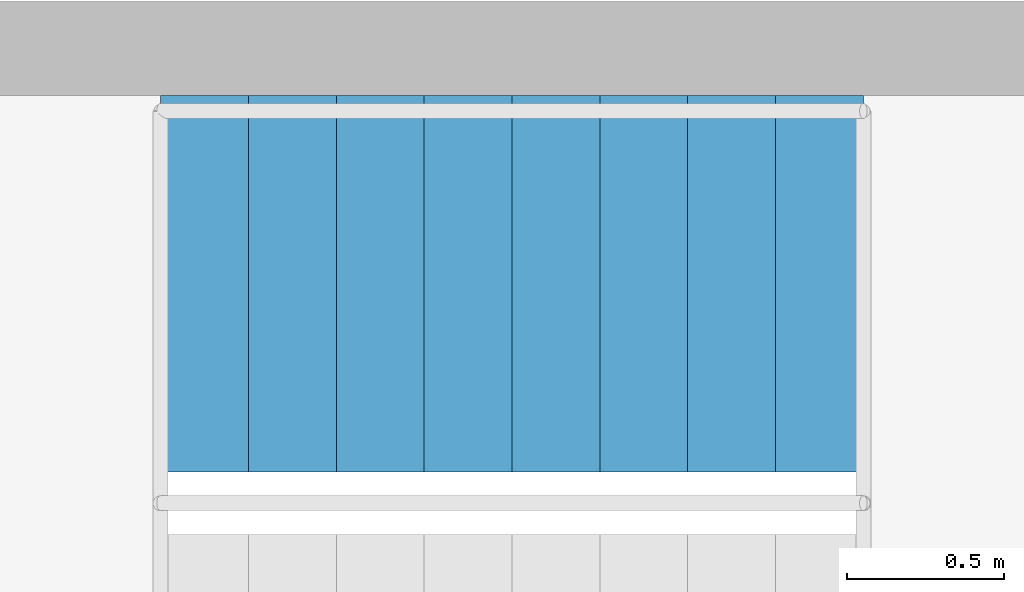
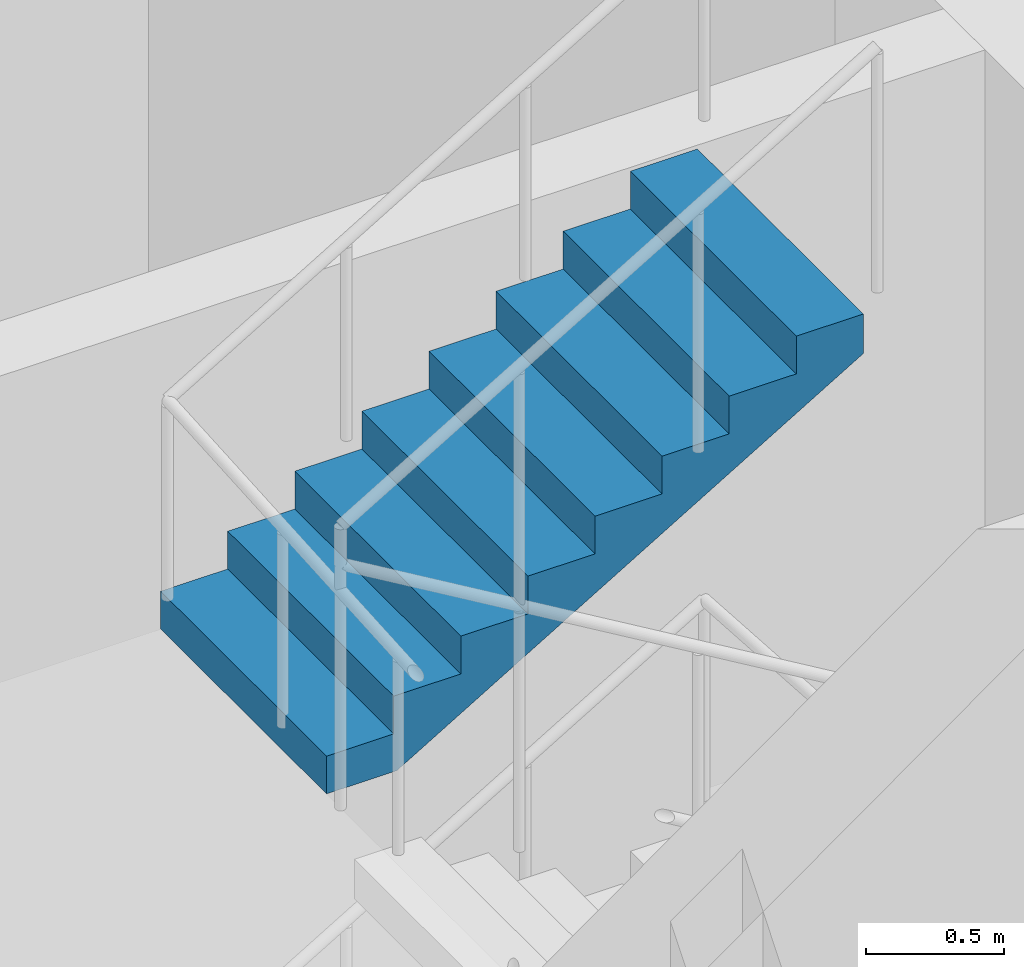
# One storey, part 7 of 14: 1 stair flight, 1 element without a shape of its own.
"""IFC4 building model written with IfcOpenShell, lengths in metres."""

from ifc_helpers import new_model, si_unit, direction, frame, origin, place, context, subcontext, project, spatial, polyline, outline, extrude, material, type_object, element, aggregate, save


model = new_model("IFC4")

# Units and contexts
model_context = context("Model", 3, precision=1e-05, world=origin(), true_north=direction((0.0, 1.0)))
body_context = subcontext(model_context, "Body", "Model", "MODEL_VIEW")
ifc_project = project(units=[si_unit("LENGTHUNIT", "METRE"), si_unit("AREAUNIT", "SQUARE_METRE"), si_unit("VOLUMEUNIT", "CUBIC_METRE"), si_unit("PLANEANGLEUNIT", "RADIAN"), si_unit("MASSUNIT", "GRAM", prefix="KILO")], contexts=[model_context])

# Site, building, storey
site_placement = place(None, origin())
site = spatial("IfcSite", under=ifc_project, at=site_placement, CompositionType="ELEMENT")
building_placement = place(site_placement, origin())
building = spatial("IfcBuilding", under=site, at=building_placement, Name="Entoto Ring Tower", CompositionType="ELEMENT")
storey_placement = place(building_placement, frame((0.0, 0.0, 12.0)))
storey = spatial("IfcBuildingStorey", under=building, at=storey_placement, Name="L01", CompositionType="ELEMENT", Elevation=12.0)

# Stair, stair flight
ifc_material_1 = material(Name="Concrete C40/50", Category="concrete")
stair_type = type_object("IfcStairType", Name="Exit stair 1200 mm dog-leg reinforced concrete", PredefinedType="HALF_TURN_STAIR", material=ifc_material_1)
stair_placement = place(storey_placement, origin())
stair = element("IfcStair", 1, at=stair_placement, inside=storey, type_object=stair_type, Name="Exit stair 1", PredefinedType="HALF_TURN_STAIR")
ifc_material_2 = material(Name="Concrete C40/50", Category="concrete")
stair_flight_type = type_object("IfcStairFlightType", Name="Stair flight 1200 mm reinforced concrete", PredefinedType="STRAIGHT", material=ifc_material_2)
stair_flight_placement = place(storey_placement, frame((97.010009765625, 86.949951171875, 4.5), z_axis=(0.0, 0.0, 1.0), x_axis=(1.0, 0.0, 0.0)))
stair_flight = element("IfcStairFlight", 2, at=stair_flight_placement, type_object=stair_flight_type, Name="ST1 flight 4", NumberOfRisers=9, NumberOfTreads=8, PredefinedType="STRAIGHT", RiserHeight=0.166666667, TreadLength=0.28, context=body_context, shape_type="SweptSolid", body=[
    extrude(outline(polyline([(0.0, 0.0), (0.0, 0.166748046875), (0.280029296875, 0.166748046875), (0.280029296875, 0.333251953125), (0.56005859375, 0.333251953125), (0.56005859375, 0.5), (0.840087890625, 0.5), (0.840087890625, 0.666748046875), (1.1201171875, 0.666748046875), (1.1201171875, 0.833251953125), (1.39990234375, 0.833251953125), (1.39990234375, 1.0), (1.679931640625, 1.0), (1.679931640625, 1.166748046875), (1.9599609375, 1.166748046875), (1.9599609375, 1.333251953125), (2.239990234375, 1.333251953125), (2.239990234375, 1.5), (2.239990234375, 1.158935546875), (0.29296875, 0.0), (0.0, 0.0)])), frame((0.0, 0.60009765625, 0.0), z_axis=(0.0, -1.0, 0.0), x_axis=(1.0, 0.0, 0.0)), (0.0, 0.0, 1.0), 1.199951171875),
])
aggregate(stair, [stair_flight])

save(model, "model.ifc")
